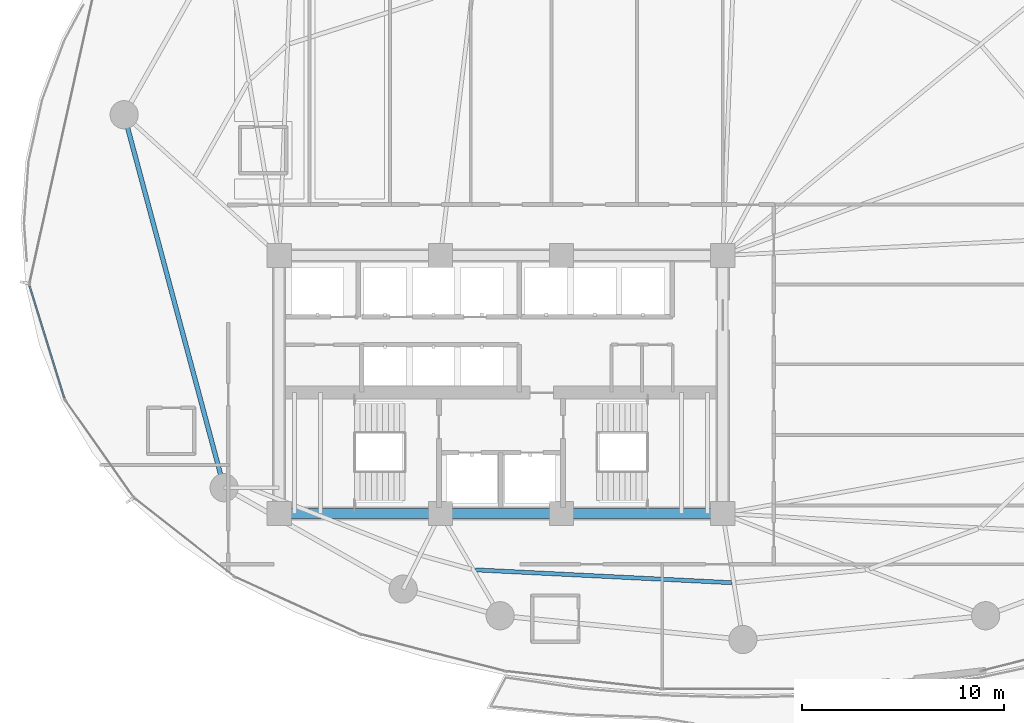
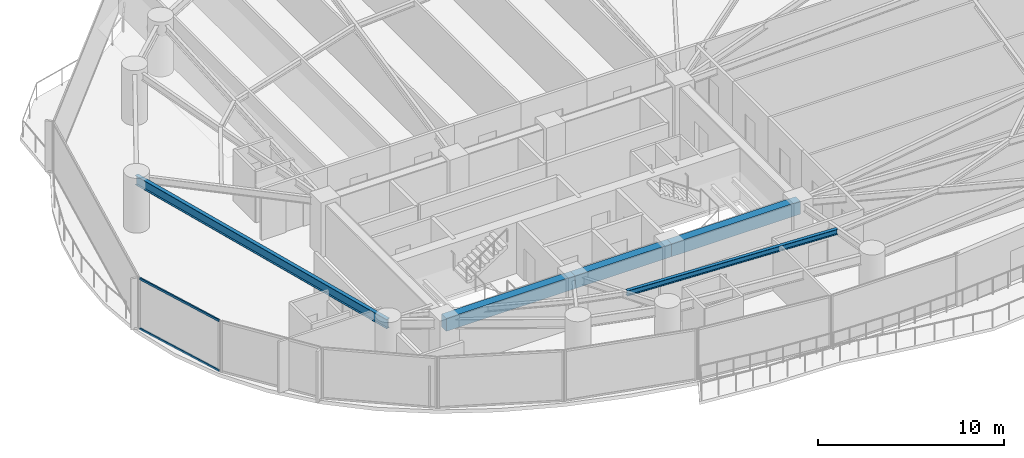
# One storey, part 7 of 33: 5 beams, 2 members, 1 element without a shape of its own.
"""IFC4 building model written with IfcOpenShell, lengths in metres."""

from ifc_helpers import new_model, si_unit, direction, frame, origin, origin_2d, place, context, subcontext, project, spatial, rectangle, hollow_rectangle, i_section, extrude, material, layer, layer_set, material_profile, profile_set, type_object, element, aggregate, save


model = new_model("IFC4")

# Units and contexts
model_context = context("Model", 3, precision=1e-05, world=origin(), true_north=direction((0.0, 1.0)))
body_context = subcontext(model_context, "Body", "Model", "MODEL_VIEW")
ifc_project = project(units=[si_unit("LENGTHUNIT", "METRE"), si_unit("AREAUNIT", "SQUARE_METRE"), si_unit("VOLUMEUNIT", "CUBIC_METRE"), si_unit("PLANEANGLEUNIT", "RADIAN"), si_unit("MASSUNIT", "GRAM", prefix="KILO")], contexts=[model_context])

# Site, building, storey
site_placement = place(None, origin())
site = spatial("IfcSite", under=ifc_project, at=site_placement, CompositionType="ELEMENT")
building_placement = place(site_placement, origin())
building = spatial("IfcBuilding", under=site, at=building_placement, Name="Kazevale Care Tower and Concert Hall", CompositionType="ELEMENT")
storey_placement = place(building_placement, frame((0.0, 0.0, 31.199951171875)))
storey = spatial("IfcBuildingStorey", under=building, at=storey_placement, Name="L07", CompositionType="ELEMENT", Elevation=31.199951171875)

# Curtain wall, members
ifc_material_1 = material(Name="Aluminium 6063-T6 and Low-E Glass", Category="aluminium")
ifc_layer = layer(ifc_material_1, 0.179931640625)
ifc_layer_set = layer_set([ifc_layer], Name="Aluminium 6063-T6 and Low-E Glass")
curtain_wall_type = type_object("IfcCurtainWallType", Name="Waist & Upper Residential Curtain Wall CW-4", PredefinedType="NOTDEFINED", material=ifc_layer_set)
curtain_wall_placement = place(storey_placement, origin())
curtain_wall = element("IfcCurtainWall", 1, at=curtain_wall_placement, inside=storey, type_object=curtain_wall_type, Name="cw:L07:f12", PredefinedType="NOTDEFINED")
ifc_material_2 = material(Name="Aluminium 6063-T6", Category="aluminium")
ifc_material_profile_1 = material_profile(ifc_material_2, hollow_rectangle(XDim=0.080078125, YDim=0.139892578125, WallThickness=0.00390625, at=origin_2d()), Name="ALU80x140x4")
ifc_profile_set_1 = profile_set([ifc_material_profile_1], Name="Aluminium 6063-T6")
member_type = type_object("IfcMemberType", Name="CW-4 Transom ALU80x140x4", PredefinedType="USERDEFINED", material=ifc_profile_set_1)
member_1_placement = place(storey_placement, frame((11.347412109375, 29.33447265625, 0.0400390625), z_axis=(-0.296117563823, 0.955151500232, 0.0), x_axis=(-0.955151500232, -0.296117563823, 0.0)))
member_1 = element("IfcMember", 2, at=member_1_placement, type_object=member_type, Name="CW-4 transom 1.1", ObjectType="TRANSOM", PredefinedType="USERDEFINED", context=body_context, shape_type="SweptSolid", body=[
    extrude(hollow_rectangle(XDim=0.080078125, YDim=0.139892578125, WallThickness=0.00390625, at=origin_2d()), origin(), (0.0, 0.0, 1.0), 5.8076171875),
])
member_2_placement = place(storey_placement, frame((11.347412109375, 29.33447265625, 3.320068359375), z_axis=(-0.296117563823, 0.955151500232, 0.0), x_axis=(-0.955151500232, -0.296117563823, 0.0)))
member_2 = element("IfcMember", 3, at=member_2_placement, type_object=member_type, Name="CW-4 transom 1.2", ObjectType="TRANSOM", PredefinedType="USERDEFINED", context=body_context, shape_type="SweptSolid", body=[
    extrude(hollow_rectangle(XDim=0.080078125, YDim=0.139892578125, WallThickness=0.00390625, at=origin_2d()), origin(), (0.0, 0.0, 1.0), 5.8076171875),
])
aggregate(curtain_wall, [member_1, member_2])

# Beams
ifc_material_3 = material(Name="Concrete C60", Category="concrete")
ifc_material_profile_2 = material_profile(ifc_material_3, rectangle(XDim=0.5, YDim=0.85009765625, at=origin_2d()), Name="RC-B500x850")
ifc_profile_set_2 = profile_set([ifc_material_profile_2], Name="Concrete C60")
beam_type_1 = type_object("IfcBeamType", Name="Core Coupling Beam RC500x850", PredefinedType="LINTEL", material=ifc_profile_set_2)
beam_1_placement = place(storey_placement, frame((22.0, 23.60009765625, 2.93505859375), z_axis=(1.0, 0.0, 0.0), x_axis=(0.0, 1.0, 0.0)))
element("IfcBeam", 4, at=beam_1_placement, inside=storey, type_object=beam_type_1, Name="beam:L07:coretie:1", PredefinedType="LINTEL", context=body_context, shape_type="SweptSolid", body=[
    extrude(rectangle(XDim=0.5, YDim=0.85009765625, at=origin_2d()), origin(), (0.0, 0.0, 1.0), 8.0),
])
beam_2_placement = place(storey_placement, frame((30.0, 23.60009765625, 2.93505859375), z_axis=(1.0, 0.0, 0.0), x_axis=(0.0, 1.0, 0.0)))
element("IfcBeam", 5, at=beam_2_placement, inside=storey, type_object=beam_type_1, Name="beam:L07:coretie:2", PredefinedType="LINTEL", context=body_context, shape_type="SweptSolid", body=[
    extrude(rectangle(XDim=0.5, YDim=0.85009765625, at=origin_2d()), origin(), (0.0, 0.0, 1.0), 6.0),
])
beam_3_placement = place(storey_placement, frame((36.0, 23.60009765625, 2.93505859375), z_axis=(1.0, 0.0, 0.0), x_axis=(0.0, 1.0, 0.0)))
element("IfcBeam", 6, at=beam_3_placement, inside=storey, type_object=beam_type_1, Name="beam:L07:coretie:3", PredefinedType="LINTEL", context=body_context, shape_type="SweptSolid", body=[
    extrude(rectangle(XDim=0.5, YDim=0.85009765625, at=origin_2d()), origin(), (0.0, 0.0, 1.0), 8.0),
])
ifc_material_4 = material(Name="Steel ASTM A572 Gr 50", Category="steel")
ifc_material_profile_3 = material_profile(ifc_material_4, i_section(OverallWidth=0.22900390625, OverallDepth=0.612060546875, WebThickness=0.011962890625, FlangeThickness=0.01953125, at=origin_2d()), Name="W610x125")
ifc_profile_set_3 = profile_set([ifc_material_profile_3], Name="Steel ASTM A572 Gr 50")
beam_type_2 = type_object("IfcBeamType", Name="Ring Spandrel Beam W610x125", PredefinedType="SPANDREL", material=ifc_profile_set_3)
beam_4_placement = place(storey_placement, frame((14.31005859375, 43.3798828125, 3.053955078125), z_axis=(0.258960352031, -0.965887952133, 0.0), x_axis=(0.965887952133, 0.258960352031, 0.0)))
element("IfcBeam", 7, at=beam_4_placement, inside=storey, type_object=beam_type_2, Name="beam:L07:ring:09", PredefinedType="SPANDREL", context=body_context, shape_type="SweptSolid", body=[
    extrude(i_section(OverallWidth=0.22900390625, OverallDepth=0.612060546875, WebThickness=0.011962890625, FlangeThickness=0.01953125, at=origin_2d()), origin(), (0.0, 0.0, 1.0), 19.1533203125),
])
ifc_material_profile_4 = material_profile(ifc_material_4, i_section(OverallWidth=0.205078125, OverallDepth=0.35400390625, WebThickness=0.009521484375, FlangeThickness=0.016845703125, at=origin_2d()), Name="W360x79")
ifc_profile_set_4 = profile_set([ifc_material_profile_4], Name="Steel ASTM A572 Gr 50")
beam_type_3 = type_object("IfcBeamType", Name="Secondary Floor Joist W360x79", PredefinedType="JOIST", material=ifc_profile_set_4)
beam_5_placement = place(storey_placement, frame((31.73291015625, 20.805908203125, 3.18310546875), z_axis=(0.998743186005, -0.050120339262, 0.0), x_axis=(0.050120339262, 0.998743186005, 0.0)))
element("IfcBeam", 8, at=beam_5_placement, inside=storey, type_object=beam_type_3, Name="beam:L07:joist:12", PredefinedType="JOIST", context=body_context, shape_type="SweptSolid", body=[
    extrude(i_section(OverallWidth=0.205078125, OverallDepth=0.35400390625, WebThickness=0.009521484375, FlangeThickness=0.016845703125, at=origin_2d()), origin(), (0.0, 0.0, 1.0), 12.728271484375),
])

save(model, "model.ifc")
